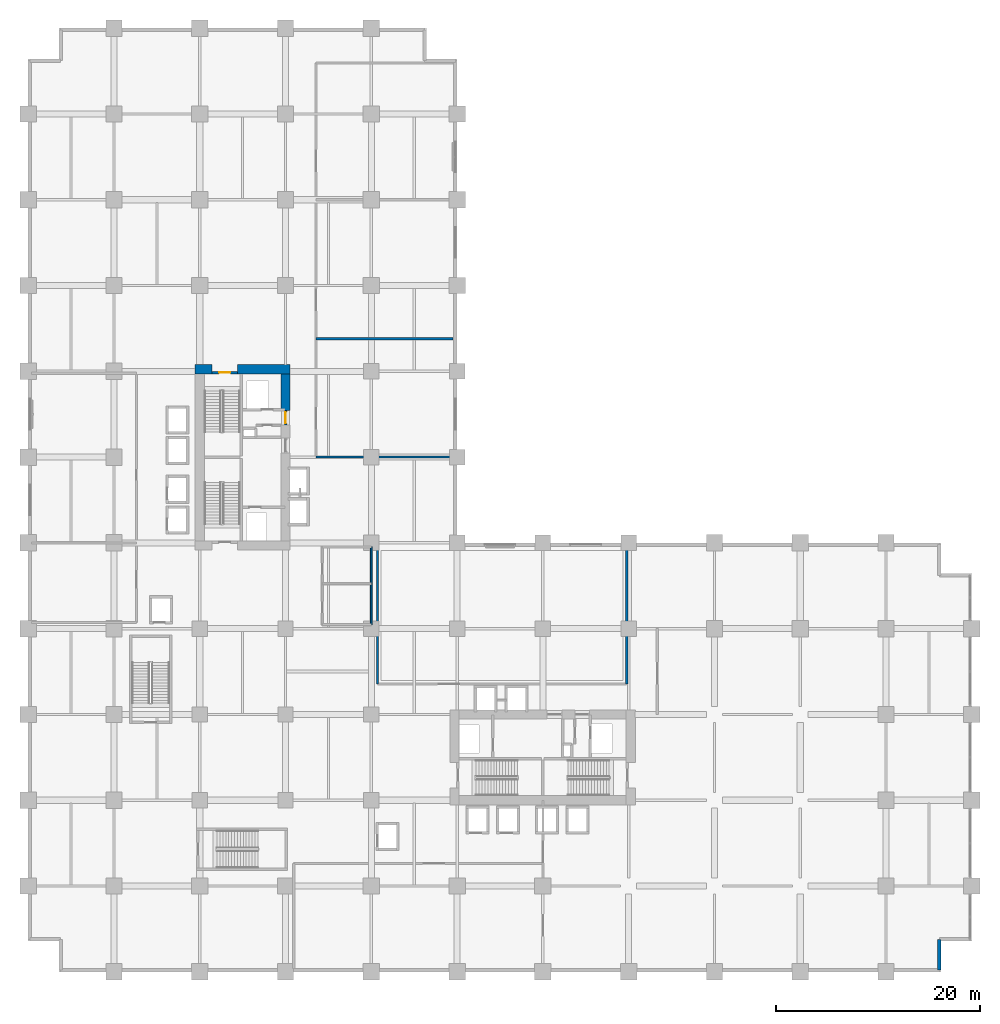
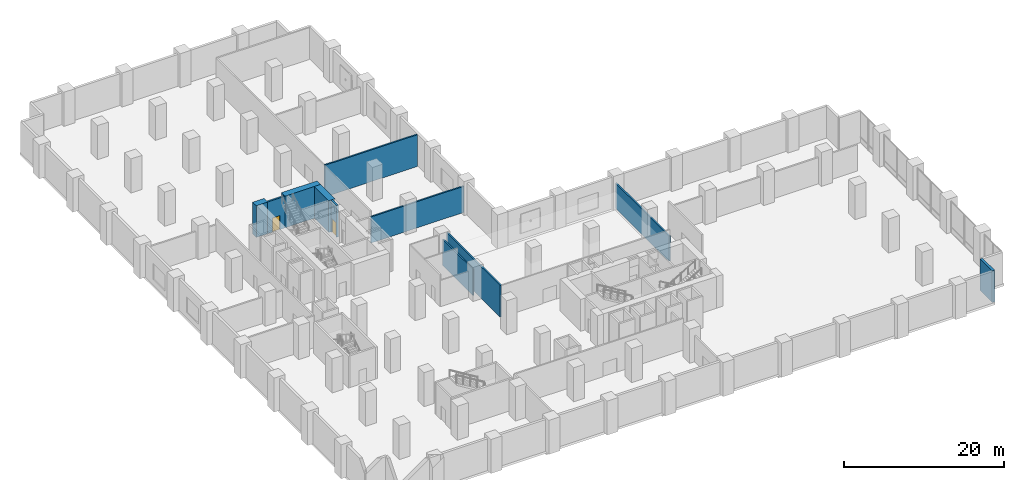
# One storey, part 13 of 19: 11 walls, 2 doors, 2 openings.
"""IFC4 building model written with IfcOpenShell, lengths in metres."""

import ifcopenshell
import ifcopenshell.guid

model = None  # the IFC model being written
_history = None  # IfcOwnerHistory: only IFC2X3 demands one
_inside = {}  # id of a spatial element -> (the spatial element, [elements in it])
_under = {}  # id of a project, library or spatial element -> (it, [spatial elements below it])
_declared = {}  # id of a project -> (the project, [libraries it declares])
_typed = {}  # id of a type object -> (the type object, [elements of that type])
_made_of = {}  # id of a material, layer set ... -> (it, [elements and type objects made of it])


def new_model(schema):
    """Start an empty IFC model of exactly this schema.

    Asked for "IFC4X3", IfcOpenShell would pick the latest addendum, in which some entities
    have other attributes; the version numbers below select the first issue.
    IFC2X3 requires an IfcOwnerHistory on every rooted entity: one is made here for all.
    """
    global model, _history
    if schema == "IFC4X3":
        model = ifcopenshell.file(schema_version=(4, 3, 0, 0))
    else:
        model = ifcopenshell.file(schema=schema)
    _inside.clear()
    _under.clear()
    _declared.clear()
    _typed.clear()
    _made_of.clear()
    _history = None
    if model.schema == "IFC2X3":
        org = make("IfcOrganization", Name="unknown")
        user = make(
            "IfcPersonAndOrganization",
            ThePerson=make("IfcPerson", FamilyName="unknown"),
            TheOrganization=org,
        )
        app = make(
            "IfcApplication",
            ApplicationDeveloper=org,
            Version="unknown",
            ApplicationFullName="unknown",
            ApplicationIdentifier="unknown",
        )
        _history = make(
            "IfcOwnerHistory",
            OwningUser=user,
            OwningApplication=app,
            ChangeAction="ADDED",
            CreationDate=0,
        )
    return model


def make(cls, **values):
    """One entity of the class cls with the attributes given. An attribute that is None is left unset."""
    return model.create_entity(
        cls, **{name: value for name, value in values.items() if value is not None}
    )


def rooted(cls, **values):
    """An entity with a GlobalId (a new one), such as an element, a storey or a relation."""
    return make(cls, GlobalId=ifcopenshell.guid.new(), OwnerHistory=_history, **values)


def si_unit(unit_type, name, prefix=None):
    """IfcSIUnit, for example si_unit("LENGTHUNIT", "METRE", prefix="MILLI")."""
    return make("IfcSIUnit", UnitType=unit_type, Prefix=prefix, Name=name)


def assignment(units):
    """IfcUnitAssignment: the units of a project."""
    return None if units is None else make("IfcUnitAssignment", Units=units)


def point(xyz):
    """IfcCartesianPoint."""
    return None if xyz is None else make("IfcCartesianPoint", Coordinates=xyz)


def direction(xyz):
    """IfcDirection."""
    return None if xyz is None else make("IfcDirection", DirectionRatios=xyz)


def frame(location, z_axis=None, x_axis=None):
    """IfcAxis2Placement3D, a coordinate frame: its origin and axes. An axis left out is left unset."""
    return make(
        "IfcAxis2Placement3D",
        Location=point(location),
        Axis=direction(z_axis),
        RefDirection=direction(x_axis),
    )


def frame_2d(location, x_axis=None):
    """IfcAxis2Placement2D, a coordinate frame in the plane: its origin and x axis."""
    return make(
        "IfcAxis2Placement2D", Location=point(location), RefDirection=direction(x_axis)
    )


def origin():
    """The frame at (0, 0, 0) with its axes left unset."""
    return frame((0.0, 0.0, 0.0))


def place(relative_to, where):
    """IfcLocalPlacement: puts the frame where relative to a parent placement (None: the world)."""
    return make(
        "IfcLocalPlacement", PlacementRelTo=relative_to, RelativePlacement=where
    )


def context(
    kind, dimensions, precision=None, world=None, true_north=None, identifier=None
):
    """IfcGeometricRepresentationContext, for example the 3D "Model" context."""
    return make(
        "IfcGeometricRepresentationContext",
        ContextIdentifier=identifier,
        ContextType=kind,
        CoordinateSpaceDimension=dimensions,
        Precision=precision,
        WorldCoordinateSystem=world,
        TrueNorth=true_north,
    )


def subcontext(parent, identifier, kind, view, scale=None):
    """IfcGeometricRepresentationSubContext, for example "Body" below "Model"."""
    return make(
        "IfcGeometricRepresentationSubContext",
        ContextIdentifier=identifier,
        ContextType=kind,
        ParentContext=parent,
        TargetScale=scale,
        TargetView=view,
    )


def project(units=None, contexts=None):
    """IfcProject with its units and contexts."""
    return rooted(
        "IfcProject",
        Name="project",
        RepresentationContexts=contexts,
        UnitsInContext=assignment(units),
    )


def spatial(cls, under=None, at=None, **own):
    """A site, building, storey or space (cls), placed at a placement, below another one or the project."""
    s = rooted(cls, ObjectPlacement=at, **own)
    if under is not None:
        _under.setdefault(under.id(), (under, []))[1].append(s)
    return s


def profile(cls, at=None, kind="AREA", **sizes):
    """A parametric profile (cls). Its sizes go by their IFC names, for example OverallWidth=200.0."""
    return make(cls, ProfileType=kind, Position=at, **sizes)


def rectangle(**sizes):
    """IfcRectangleProfileDef."""
    return profile("IfcRectangleProfileDef", **sizes)


def extrude(swept, where, along, depth):
    """IfcExtrudedAreaSolid: the profile swept, set in the frame where, extruded along a direction by depth."""
    return make(
        "IfcExtrudedAreaSolid",
        SweptArea=swept,
        Position=where,
        ExtrudedDirection=direction(along),
        Depth=depth,
    )


def shape(context_of_items, identifier, shape_type, items):
    """IfcShapeRepresentation: the items that make up one representation, for example the "Body"."""
    return make(
        "IfcShapeRepresentation",
        ContextOfItems=context_of_items,
        RepresentationIdentifier=identifier,
        RepresentationType=shape_type,
        Items=items,
    )


def material(Name=None, Category=None):
    """IfcMaterial."""
    return make("IfcMaterial", Name=Name, Category=Category)


def layer(
    of_material, thickness, ventilated=None, Name=None, Category=None, Priority=None
):
    """IfcMaterialLayer: one layer of a wall or slab, of a material (None: an air gap)."""
    return make(
        "IfcMaterialLayer",
        Material=of_material,
        LayerThickness=thickness,
        IsVentilated=ventilated,
        Name=Name,
        Category=Category,
        Priority=Priority,
    )


def layer_set(layers, Name=None):
    """IfcMaterialLayerSet."""
    return make("IfcMaterialLayerSet", MaterialLayers=layers, LayerSetName=Name)


def made_of(thing, what):
    """Note that an element or type object is made of a material, layer set ...; save() writes the relation."""
    if what is not None:
        _made_of.setdefault(what.id(), (what, []))[1].append(thing)
    return thing


def type_object(cls, material=None, **own):
    """A type object (cls), such as IfcWallType, which elements share."""
    return made_of(rooted(cls, **own), material)


def element(
    cls,
    number,
    at=None,
    inside=None,
    cuts=None,
    type_object=None,
    material=None,
    context=None,
    identifier="Body",
    shape_type=None,
    held_by="IfcProductDefinitionShape",
    body=None,
    shapes=None,
    **own,
):
    """One element of the class cls, such as IfcWall. Its Tag is "e" and its number.

    at: its placement. inside: the storey or other place that contains it. cuts: it is an
    opening in that element (IfcRelVoidsElement). A single representation is given by context,
    identifier, shape_type and body (its items); several are given by shapes. held_by: the class
    of the entity that holds the representations. save() writes the other relations.
    """
    e = rooted(cls, Tag="e%d" % number, ObjectPlacement=at, **own)
    if body is not None:
        shapes = [shape(context, identifier, shape_type, body)]
    if shapes is not None:
        e.Representation = make(held_by, Representations=shapes)
    if inside is not None:
        _inside.setdefault(inside.id(), (inside, []))[1].append(e)
    if cuts is not None:
        rooted(
            "IfcRelVoidsElement", RelatingBuildingElement=cuts, RelatedOpeningElement=e
        )
    if type_object is not None:
        _typed.setdefault(type_object.id(), (type_object, []))[1].append(e)
    return made_of(e, material)


def fill(opening, filler):
    """IfcRelFillsElement: the door or window that sits in an opening."""
    return rooted(
        "IfcRelFillsElement",
        RelatingOpeningElement=opening,
        RelatedBuildingElement=filler,
    )


def aggregate(whole, parts):
    """IfcRelAggregates: a whole, such as a stair, and the parts it consists of."""
    return rooted("IfcRelAggregates", RelatingObject=whole, RelatedObjects=parts)


def save(model, path):
    """Write the relations noted so far, then the file.

    IfcRelAggregates (storeys below a building ...), IfcRelContainedInSpatialStructure (elements
    in a storey), IfcRelDefinesByType, IfcRelAssociatesMaterial and IfcRelDeclares: one each for
    every whole, place, type object, material and project.
    """
    for whole, parts in _under.values():
        aggregate(whole, parts)
    for where, things in _inside.values():
        rooted(
            "IfcRelContainedInSpatialStructure",
            RelatedElements=things,
            RelatingStructure=where,
        )
    for kind, things in _typed.values():
        rooted("IfcRelDefinesByType", RelatedObjects=things, RelatingType=kind)
    for what, things in _made_of.values():
        rooted("IfcRelAssociatesMaterial", RelatedObjects=things, RelatingMaterial=what)
    for by, libraries in _declared.values():
        rooted("IfcRelDeclares", RelatingContext=by, RelatedDefinitions=libraries)
    model.write(path)


model = new_model("IFC4")

# Units and contexts
model_context = context("Model", 3, precision=1e-05, world=origin(), true_north=direction((0.0, 1.0)))
body_context = subcontext(model_context, "Body", "Model", "MODEL_VIEW")
ifc_project = project(units=[si_unit("LENGTHUNIT", "METRE"), si_unit("AREAUNIT", "SQUARE_METRE"), si_unit("VOLUMEUNIT", "CUBIC_METRE"), si_unit("PLANEANGLEUNIT", "RADIAN"), si_unit("MASSUNIT", "GRAM", prefix="KILO")], contexts=[model_context])

# Site, building, storey
site_placement = place(None, origin())
site = spatial("IfcSite", under=ifc_project, at=site_placement, CompositionType="ELEMENT")
building_placement = place(site_placement, origin())
building = spatial("IfcBuilding", under=site, at=building_placement, Name="Koriwani Terraces Tower", CompositionType="ELEMENT")
storey_placement = place(building_placement, frame((0.0, 0.0, 15.60009765625)))
storey = spatial("IfcBuildingStorey", under=building, at=storey_placement, Name="L03", CompositionType="ELEMENT", Elevation=15.60009765625)

# Walls
ifc_material_1 = material(Name="Concrete C60/75", Category="concrete")
ifc_layer_1 = layer(ifc_material_1, 0.89990234375, Name="Concrete C60/75")
ifc_layer_set_1 = layer_set([ifc_layer_1], Name="Concrete C60/75")
wall_type_1 = type_object("IfcWallType", Name="WALL_CORE_RC_900", PredefinedType="SHEAR", material=ifc_layer_set_1)
wall_1_placement = place(storey_placement, frame((16.35009765625, 59.0, 0.0), z_axis=(0.0, 0.0, 1.0), x_axis=(1.0, 0.0, 0.0)))
element("IfcWall", 1, at=wall_1_placement, inside=storey, type_object=wall_type_1, Name="L03 West Split Core Shear Wall N1", PredefinedType="SHEAR", context=body_context, shape_type="SweptSolid", body=[
    extrude(rectangle(XDim=1.64990234375, YDim=0.89990234375, at=frame_2d((0.824951171875, 0.0))), origin(), (0.0, 0.0, 1.0), 4.849853515625),
])
wall_2_placement = place(storey_placement, frame((20.5, 59.0, 0.0), z_axis=(0.0, 0.0, 1.0), x_axis=(1.0, 0.0, 0.0)))
element("IfcWall", 2, at=wall_2_placement, inside=storey, type_object=wall_type_1, Name="L03 West Split Core Shear Wall N2", PredefinedType="SHEAR", context=body_context, shape_type="SweptSolid", body=[
    extrude(rectangle(XDim=5.14990234375, YDim=0.89990234375, at=frame_2d((2.574951171875, 0.0))), origin(), (0.0, 0.0, 1.0), 4.849853515625),
])
wall_3_placement = place(storey_placement, frame((25.199951171875, 54.949951171875, 0.0), z_axis=(0.0, 0.0, 1.0), x_axis=(0.0, 1.0, 0.0)))
element("IfcWall", 3, at=wall_3_placement, inside=storey, type_object=wall_type_1, Name="L03 West Split Core Shear Wall E3", PredefinedType="SHEAR", context=body_context, shape_type="SweptSolid", body=[
    extrude(rectangle(XDim=3.60009765625, YDim=0.89990234375, at=frame_2d((1.800048828125, 0.0))), origin(), (0.0, 0.0, 1.0), 4.849853515625),
])
ifc_material_2 = material(Name="Autoclaved Cellular Concrete Blockwork", Category="masonry")
ifc_layer_2 = layer(ifc_material_2, 0.219970703125, Name="Autoclaved Cellular Concrete Blockwork")
ifc_layer_set_2 = layer_set([ifc_layer_2], Name="Autoclaved Cellular Concrete Blockwork")
wall_type_2 = type_object("IfcWallType", Name="WALL_DEMISING_220", PredefinedType="PARTITIONING", material=ifc_layer_set_2)
wall_4_placement = place(storey_placement, frame((34.199951171875, 28.199951171875, 0.0), z_axis=(0.0, 0.0, 1.0), x_axis=(0.0, 1.0, 0.0)))
element("IfcWall", 4, at=wall_4_placement, inside=storey, type_object=wall_type_2, Name="L03 Interior Wall WL03-PREF-W", PredefinedType="PARTITIONING", context=body_context, shape_type="SweptSolid", body=[
    extrude(rectangle(XDim=13.400146484375, YDim=0.219970703125, at=frame_2d((6.7001953125, 0.0))), origin(), (0.0, 0.0, 1.0), 4.849853515625),
])
wall_5_placement = place(storey_placement, frame((58.60009765625, 28.199951171875, 0.0), z_axis=(0.0, 0.0, 1.0), x_axis=(0.0, 1.0, 0.0)))
element("IfcWall", 5, at=wall_5_placement, inside=storey, type_object=wall_type_2, Name="L03 Interior Wall WL03-PREF-E", PredefinedType="PARTITIONING", context=body_context, shape_type="SweptSolid", body=[
    extrude(rectangle(XDim=13.400146484375, YDim=0.219970703125, at=frame_2d((6.7001953125, 0.0))), origin(), (0.0, 0.0, 1.0), 3.85986328125),
])
wall_6_placement = place(storey_placement, frame((28.199951171875, 50.39990234375, 0.0), z_axis=(0.0, 0.0, 1.0), x_axis=(1.0, 0.0, 0.0)))
element("IfcWall", 6, at=wall_6_placement, inside=storey, type_object=wall_type_2, Name="L03 Interior Wall WPOD-INWD-L03-0", PredefinedType="PARTITIONING", context=body_context, shape_type="SweptSolid", body=[
    extrude(rectangle(XDim=13.400146484375, YDim=0.219970703125, at=frame_2d((6.7001953125, 0.0))), origin(), (0.0, 0.0, 1.0), 4.0),
])
wall_7_placement = place(storey_placement, frame((28.199951171875, 62.0, 0.0), z_axis=(0.0, 0.0, 1.0), x_axis=(1.0, 0.0, 0.0)))
element("IfcWall", 7, at=wall_7_placement, inside=storey, type_object=wall_type_2, Name="L03 Interior Wall WPOD-INWD-L03-1", PredefinedType="PARTITIONING", context=body_context, shape_type="SweptSolid", body=[
    extrude(rectangle(XDim=13.400146484375, YDim=0.219970703125, at=frame_2d((6.7001953125, 0.0))), origin(), (0.0, 0.0, 1.0), 4.849853515625),
])
ifc_material_3 = material(Name="Concrete C50/60", Category="concrete")
ifc_layer_3 = layer(ifc_material_3, 0.35009765625, Name="Concrete C50/60")
ifc_layer_set_3 = layer_set([ifc_layer_3], Name="Concrete C50/60")
wall_type_3 = type_object("IfcWallType", Name="WALL_EXT_BRUTALIST_350", PredefinedType="STANDARD", material=ifc_layer_set_3)
wall_8_placement = place(storey_placement, frame((89.22509765625, 3.175048828125, 0.0), z_axis=(0.0, 0.0, 1.0), x_axis=(0.0, -1.0, 0.0)))
element("IfcWall", 8, at=wall_8_placement, inside=storey, type_object=wall_type_3, Name="L03 Fair-Faced Brutalist Exterior Wall (N14)", PredefinedType="STANDARD", context=body_context, shape_type="SweptSolid", body=[
    extrude(rectangle(XDim=3.0, YDim=0.35009765625, at=frame_2d((1.5, 0.0))), origin(), (0.0, 0.0, 1.0), 4.849853515625),
])
ifc_material_4 = material(Name="Fire-Rated Acoustic Gypsum Partition", Category="masonry")
ifc_layer_4 = layer(ifc_material_4, 0.179931640625, Name="Fire-Rated Acoustic Gypsum Partition")
ifc_layer_set_4 = layer_set([ifc_layer_4], Name="Fire-Rated Acoustic Gypsum Partition")
wall_type_4 = type_object("IfcWallType", Name="WALL_PLUMBING_180", PredefinedType="PLUMBINGWALL", material=ifc_layer_set_4)
wall_9_placement = place(storey_placement, frame((33.60009765625, 34.0, 0.0), z_axis=(0.0, 0.0, 1.0), x_axis=(0.0, 1.0, 0.0)))
element("IfcWall", 9, at=wall_9_placement, inside=storey, type_object=wall_type_4, Name="L03 Interior Wall WPOD-WCE-L03", PredefinedType="PLUMBINGWALL", context=body_context, shape_type="SweptSolid", body=[
    extrude(rectangle(XDim=7.60009765625, YDim=0.179931640625, at=frame_2d((3.800048828125, 0.0))), origin(), (0.0, 0.0, 1.0), 4.0),
])

# Wall, opening, door
ifc_material_5 = material(Name="Concrete C40/50", Category="concrete")
ifc_layer_5 = layer(ifc_material_5, 0.25, Name="Concrete C40/50")
ifc_layer_set_5 = layer_set([ifc_layer_5], Name="Concrete C40/50")
wall_type_5 = type_object("IfcWallType", Name="WALL_SHAFT_RATED_250", PredefinedType="SOLIDWALL", material=ifc_layer_set_5)
wall_10_placement = place(storey_placement, frame((18.0, 58.675048828125, 0.0), z_axis=(0.0, 0.0, 1.0), x_axis=(1.0, 0.0, 0.0)))
wall_10 = element("IfcWall", 10, at=wall_10_placement, inside=storey, type_object=wall_type_5, Name="L03 Interior Wall WIN-CW-L03-STN", PredefinedType="SOLIDWALL", context=body_context, shape_type="SweptSolid", body=[
    extrude(rectangle(XDim=2.5, YDim=0.25, at=frame_2d((1.25, 0.0))), origin(), (0.0, 0.0, 1.0), 4.849853515625),
])
opening_1_placement = place(wall_10_placement, frame((0.699951171875, 0.0, 0.0)))
opening_1 = element("IfcOpeningElement", 11, at=opening_1_placement, cuts=wall_10, Name="Opening D-03", PredefinedType="OPENING", context=body_context, shape_type="SweptSolid", body=[
    extrude(rectangle(XDim=1.10009765625, YDim=2.14990234375, at=frame_2d((0.550048828125, 1.074951171875))), frame((0.0, 0.135009765625, 0.0), z_axis=(0.0, -1.0, 0.0), x_axis=(1.0, 0.0, 0.0)), (0.0, 0.0, 1.0), 0.27001953125),
])
ifc_material_6 = material(Name="Steel ASTM A572 Grade 50", Category="steel")
door_type = type_object("IfcDoorType", Name="DOOR_STAIR_FIRE_1100X2150", OperationType="NOTDEFINED", PredefinedType="DOOR", material=ifc_material_6)
door_1_placement = place(opening_1_placement, origin())
door_1 = element("IfcDoor", 12, at=door_1_placement, inside=storey, type_object=door_type, Name="L03 Exit Stair ST-W2 Door", OperationType="SINGLE_SWING_RIGHT", OverallHeight=2.14990234375, OverallWidth=1.10009765625, PredefinedType="DOOR", context=body_context, shape_type="SweptSolid", body=[
    extrude(rectangle(XDim=1.10009765625, YDim=2.14990234375, at=frame_2d((0.550048828125, 1.074951171875))), frame((0.0, 0.02490234375, 0.0), z_axis=(0.0, -1.0, 0.0), x_axis=(1.0, 0.0, 0.0)), (0.0, 0.0, 1.0), 0.050048828125),
])
fill(opening_1, door_1)

wall_11_placement = place(storey_placement, frame((25.199951171875, 53.550048828125, 0.0), z_axis=(0.0, 0.0, 1.0), x_axis=(0.0, 1.0, 0.0)))
wall_11 = element("IfcWall", 13, at=wall_11_placement, inside=storey, type_object=wall_type_5, Name="L03 Interior Wall WIN-CW-L03-EP2", PredefinedType="SOLIDWALL", context=body_context, shape_type="SweptSolid", body=[
    extrude(rectangle(XDim=1.39990234375, YDim=0.25, at=frame_2d((0.699951171875, 0.0))), origin(), (0.0, 0.0, 1.0), 4.849853515625),
])
opening_2_placement = place(wall_11_placement, frame((0.14990234375, 0.0, 0.0)))
opening_2 = element("IfcOpeningElement", 14, at=opening_2_placement, cuts=wall_11, Name="Opening D-03", PredefinedType="OPENING", context=body_context, shape_type="SweptSolid", body=[
    extrude(rectangle(XDim=1.10009765625, YDim=2.14990234375, at=frame_2d((0.550048828125, 1.074951171875))), frame((0.0, 0.135009765625, 0.0), z_axis=(0.0, -1.0, 0.0), x_axis=(1.0, 0.0, 0.0)), (0.0, 0.0, 1.0), 0.27001953125),
])
door_2_placement = place(opening_2_placement, origin())
door_2 = element("IfcDoor", 15, at=door_2_placement, inside=storey, type_object=door_type, Name="L03 West Goods Lift Lobby Door", OperationType="SINGLE_SWING_RIGHT", OverallHeight=2.14990234375, OverallWidth=1.10009765625, PredefinedType="DOOR", context=body_context, shape_type="SweptSolid", body=[
    extrude(rectangle(XDim=1.10009765625, YDim=2.14990234375, at=frame_2d((0.550048828125, 1.074951171875))), frame((0.0, 0.02490234375, 0.0), z_axis=(0.0, -1.0, 0.0), x_axis=(1.0, 0.0, 0.0)), (0.0, 0.0, 1.0), 0.050048828125),
])
fill(opening_2, door_2)

save(model, "model.ifc")
